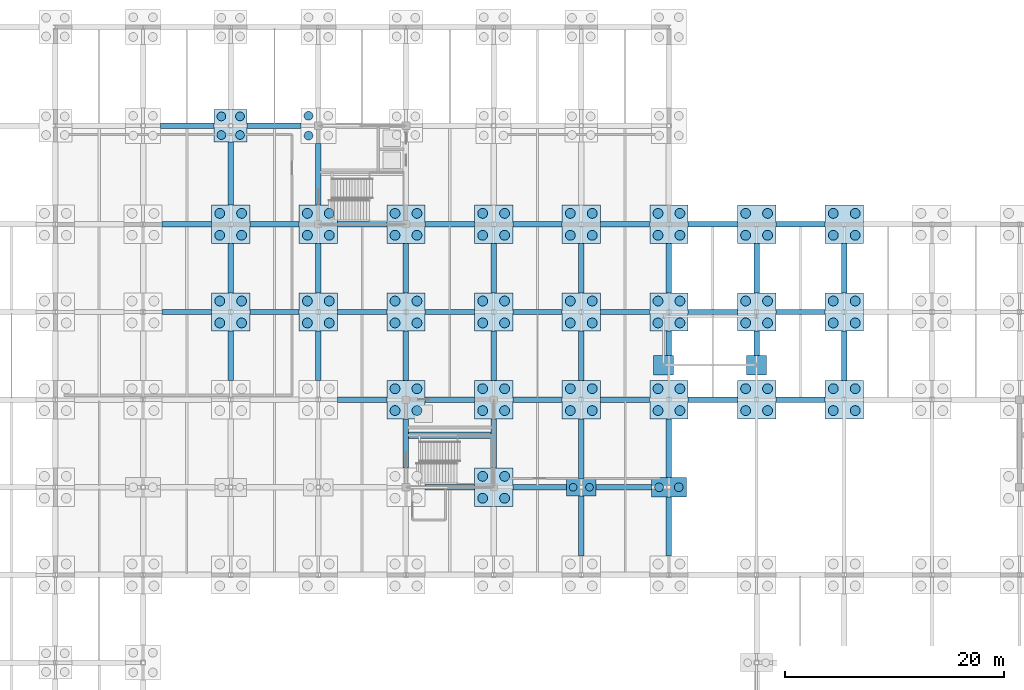
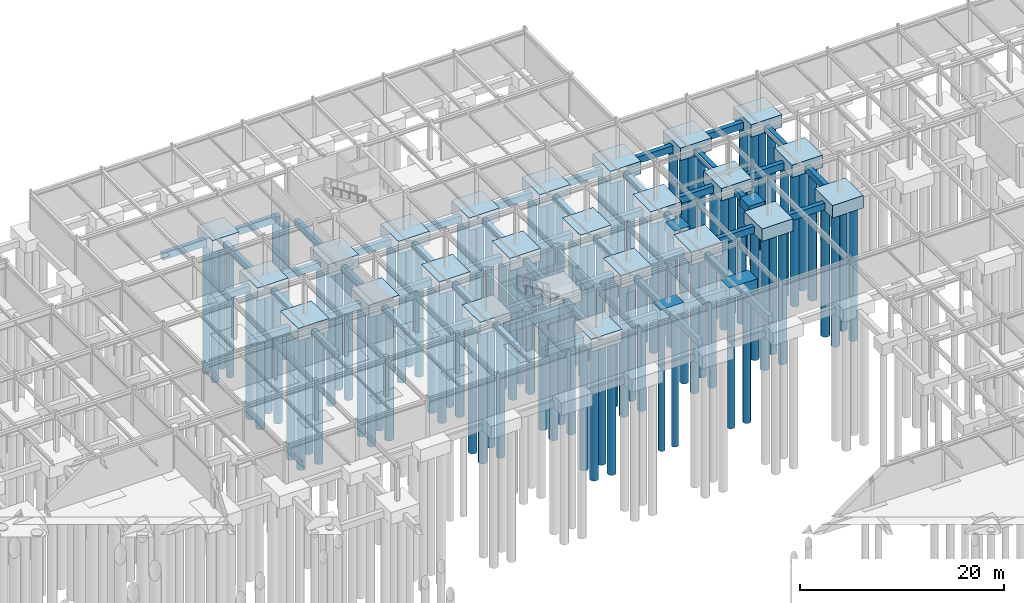
# One storey, part 8 of 72: 102 piles, 80 footings.
"""IFC4 building model written with IfcOpenShell, lengths in metres."""

from ifc_helpers import new_model, si_unit, direction, frame, origin, origin_2d, place, context, subcontext, project, spatial, rectangle, circle, extrude, material, material_profile, profile_set, type_object, element, save


model = new_model("IFC4")

# Units and contexts
model_context = context("Model", 3, precision=1e-05, world=origin(), true_north=direction((0.0, 1.0)))
body_context = subcontext(model_context, "Body", "Model", "MODEL_VIEW")
ifc_project = project(units=[si_unit("LENGTHUNIT", "METRE"), si_unit("AREAUNIT", "SQUARE_METRE"), si_unit("VOLUMEUNIT", "CUBIC_METRE"), si_unit("PLANEANGLEUNIT", "RADIAN"), si_unit("MASSUNIT", "GRAM", prefix="KILO")], contexts=[model_context])

# Site, building, storey
site_placement = place(None, origin())
site = spatial("IfcSite", under=ifc_project, at=site_placement, CompositionType="ELEMENT")
building_placement = place(site_placement, origin())
building = spatial("IfcBuilding", under=site, at=building_placement, Name="Zhaolan Boulevard Law Courts", CompositionType="ELEMENT")
storey_placement = place(building_placement, frame((0.0, 0.0, -4.800048828125)))
storey = spatial("IfcBuildingStorey", under=building, at=storey_placement, Name="B1", CompositionType="ELEMENT", Elevation=-4.800048828125)

# Piles
ifc_material_1 = material(Name="Concrete C40", Category="concrete")
ifc_material_profile_1 = material_profile(ifc_material_1, circle(Radius=0.35009765625, at=origin_2d()), Name="PILE-D700")
ifc_profile_set_1 = profile_set([ifc_material_profile_1], Name="Concrete C40")
pile_type_1 = type_object("IfcPileType", Name="BORED PILE D700", PredefinedType="BORED", material=ifc_profile_set_1)
for number, where, z_axis, x_axis, name in (
    (1, (99.25, 70.0, -1.199951171875), (0.0, 0.0, -1.0), (1.0, 0.0, 0.0), "Bored Pile P-13K-1"),
    (2, (100.75, 70.0, -1.199951171875), (0.0, 0.0, -1.0), (1.0, 0.0, 0.0), "Bored Pile P-13K-2"),
):
    element("IfcPile", number, at=place(storey_placement, frame(where, z_axis=z_axis, x_axis=x_axis)), inside=storey, type_object=pile_type_1, Name=name, PredefinedType="BORED", context=body_context, shape_type="SweptSolid", body=[
        extrude(circle(Radius=0.35009765625, at=origin_2d()), origin(), (0.0, 0.0, 1.0), 16.199951171875),
    ])
ifc_material_2 = material(Name="Concrete C40", Category="concrete")
ifc_material_profile_2 = material_profile(ifc_material_2, circle(Radius=0.39990234375, at=origin_2d()), Name="PILE-D800")
ifc_profile_set_2 = profile_set([ifc_material_profile_2], Name="Concrete C40")
pile_type_2 = type_object("IfcPileType", Name="BORED PILE D800", PredefinedType="BORED", material=ifc_profile_set_2)
for number, where, z_axis, x_axis, name in (
    (3, (67.14990234375, 102.14990234375, -1.300048828125), (0.0, 0.0, -1.0), (1.0, 0.0, 0.0), "Bored Pile P-9P-1"),
    (4, (68.85009765625, 102.14990234375, -1.300048828125), (0.0, 0.0, -1.0), (1.0, 0.0, 0.0), "Bored Pile P-9P-2"),
    (5, (67.14990234375, 103.85009765625, -1.300048828125), (0.0, 0.0, -1.0), (1.0, 0.0, 0.0), "Bored Pile P-9P-3"),
    (6, (68.85009765625, 103.85009765625, -1.300048828125), (0.0, 0.0, -1.0), (1.0, 0.0, 0.0), "Bored Pile P-9P-4"),
):
    element("IfcPile", number, at=place(storey_placement, frame(where, z_axis=z_axis, x_axis=x_axis)), inside=storey, type_object=pile_type_2, Name=name, PredefinedType="BORED", context=body_context, shape_type="SweptSolid", body=[
        extrude(circle(Radius=0.39990234375, at=origin_2d()), origin(), (0.0, 0.0, 1.0), 16.10009765625),
    ])
for number, where, z_axis, x_axis, name in (
    (7, (75.10009765625, 102.10009765625, -1.349853515625), (0.0, 0.0, -1.0), (1.0, 0.0, 0.0), "Bored Pile P-10P-1"),
    (8, (75.10009765625, 103.89990234375, -1.349853515625), (0.0, 0.0, -1.0), (1.0, 0.0, 0.0), "Bored Pile P-10P-3"),
):
    element("IfcPile", number, at=place(storey_placement, frame(where, z_axis=z_axis, x_axis=x_axis)), inside=storey, type_object=pile_type_2, Name=name, PredefinedType="BORED", context=body_context, shape_type="SweptSolid", body=[
        extrude(circle(Radius=0.39990234375, at=origin_2d()), origin(), (0.0, 0.0, 1.0), 16.050048828125),
    ])
for number, where, z_axis, x_axis, name in (
    (9, (107.10009765625, 70.0, -1.300048828125), (0.0, 0.0, -1.0), (1.0, 0.0, 0.0), "Bored Pile P-14K-1"),
    (10, (108.89990234375, 70.0, -1.300048828125), (0.0, 0.0, -1.0), (1.0, 0.0, 0.0), "Bored Pile P-14K-2"),
):
    element("IfcPile", number, at=place(storey_placement, frame(where, z_axis=z_axis, x_axis=x_axis)), inside=storey, type_object=pile_type_2, Name=name, PredefinedType="BORED", context=body_context, shape_type="SweptSolid", body=[
        extrude(circle(Radius=0.39990234375, at=origin_2d()), origin(), (0.0, 0.0, 1.0), 16.10009765625),
    ])
ifc_material_3 = material(Name="Concrete C40", Category="concrete")
ifc_material_profile_3 = material_profile(ifc_material_3, circle(Radius=0.449951171875, at=origin_2d()), Name="PILE-D900")
ifc_profile_set_3 = profile_set([ifc_material_profile_3], Name="Concrete C40")
pile_type_3 = type_object("IfcPileType", Name="BORED PILE D900", PredefinedType="BORED", material=ifc_profile_set_3)
for number, where, z_axis, x_axis, name in (
    (11, (67.0, 85.0, -1.39990234375), (0.0, 0.0, -1.0), (1.0, 0.0, 0.0), "Bored Pile P-9M-1"),
    (12, (69.0, 85.0, -1.39990234375), (0.0, 0.0, -1.0), (1.0, 0.0, 0.0), "Bored Pile P-9M-2"),
    (13, (67.0, 87.0, -1.39990234375), (0.0, 0.0, -1.0), (1.0, 0.0, 0.0), "Bored Pile P-9M-3"),
    (14, (69.0, 87.0, -1.39990234375), (0.0, 0.0, -1.0), (1.0, 0.0, 0.0), "Bored Pile P-9M-4"),
    (15, (67.0, 93.0, -1.39990234375), (0.0, 0.0, -1.0), (1.0, 0.0, 0.0), "Bored Pile P-9N-1"),
    (16, (69.0, 93.0, -1.39990234375), (0.0, 0.0, -1.0), (1.0, 0.0, 0.0), "Bored Pile P-9N-2"),
    (17, (67.0, 95.0, -1.39990234375), (0.0, 0.0, -1.0), (1.0, 0.0, 0.0), "Bored Pile P-9N-3"),
    (18, (69.0, 95.0, -1.39990234375), (0.0, 0.0, -1.0), (1.0, 0.0, 0.0), "Bored Pile P-9N-4"),
    (19, (75.0, 85.0, -1.39990234375), (0.0, 0.0, -1.0), (1.0, 0.0, 0.0), "Bored Pile P-10M-1"),
    (20, (77.0, 85.0, -1.39990234375), (0.0, 0.0, -1.0), (1.0, 0.0, 0.0), "Bored Pile P-10M-2"),
    (21, (75.0, 87.0, -1.39990234375), (0.0, 0.0, -1.0), (1.0, 0.0, 0.0), "Bored Pile P-10M-3"),
    (22, (77.0, 87.0, -1.39990234375), (0.0, 0.0, -1.0), (1.0, 0.0, 0.0), "Bored Pile P-10M-4"),
    (23, (75.0, 93.0, -1.39990234375), (0.0, 0.0, -1.0), (1.0, 0.0, 0.0), "Bored Pile P-10N-1"),
    (24, (77.0, 93.0, -1.39990234375), (0.0, 0.0, -1.0), (1.0, 0.0, 0.0), "Bored Pile P-10N-2"),
    (25, (75.0, 95.0, -1.39990234375), (0.0, 0.0, -1.0), (1.0, 0.0, 0.0), "Bored Pile P-10N-3"),
    (26, (77.0, 95.0, -1.39990234375), (0.0, 0.0, -1.0), (1.0, 0.0, 0.0), "Bored Pile P-10N-4"),
    (27, (83.0, 77.0, -1.39990234375), (0.0, 0.0, -1.0), (1.0, 0.0, 0.0), "Bored Pile P-11L-1"),
    (28, (85.0, 77.0, -1.39990234375), (0.0, 0.0, -1.0), (1.0, 0.0, 0.0), "Bored Pile P-11L-2"),
    (29, (83.0, 79.0, -1.39990234375), (0.0, 0.0, -1.0), (1.0, 0.0, 0.0), "Bored Pile P-11L-3"),
    (30, (85.0, 79.0, -1.39990234375), (0.0, 0.0, -1.0), (1.0, 0.0, 0.0), "Bored Pile P-11L-4"),
    (31, (83.0, 85.0, -1.39990234375), (0.0, 0.0, -1.0), (1.0, 0.0, 0.0), "Bored Pile P-11M-1"),
    (32, (85.0, 85.0, -1.39990234375), (0.0, 0.0, -1.0), (1.0, 0.0, 0.0), "Bored Pile P-11M-2"),
    (33, (83.0, 87.0, -1.39990234375), (0.0, 0.0, -1.0), (1.0, 0.0, 0.0), "Bored Pile P-11M-3"),
    (34, (85.0, 87.0, -1.39990234375), (0.0, 0.0, -1.0), (1.0, 0.0, 0.0), "Bored Pile P-11M-4"),
    (35, (83.0, 93.0, -1.39990234375), (0.0, 0.0, -1.0), (1.0, 0.0, 0.0), "Bored Pile P-11N-1"),
    (36, (85.0, 93.0, -1.39990234375), (0.0, 0.0, -1.0), (1.0, 0.0, 0.0), "Bored Pile P-11N-2"),
    (37, (83.0, 95.0, -1.39990234375), (0.0, 0.0, -1.0), (1.0, 0.0, 0.0), "Bored Pile P-11N-3"),
    (38, (85.0, 95.0, -1.39990234375), (0.0, 0.0, -1.0), (1.0, 0.0, 0.0), "Bored Pile P-11N-4"),
    (39, (91.0, 69.0, -1.39990234375), (0.0, 0.0, -1.0), (1.0, 0.0, 0.0), "Bored Pile P-12K-1"),
    (40, (93.0, 69.0, -1.39990234375), (0.0, 0.0, -1.0), (1.0, 0.0, 0.0), "Bored Pile P-12K-2"),
    (41, (91.0, 71.0, -1.39990234375), (0.0, 0.0, -1.0), (1.0, 0.0, 0.0), "Bored Pile P-12K-3"),
    (42, (93.0, 71.0, -1.39990234375), (0.0, 0.0, -1.0), (1.0, 0.0, 0.0), "Bored Pile P-12K-4"),
    (43, (91.0, 77.0, -1.39990234375), (0.0, 0.0, -1.0), (1.0, 0.0, 0.0), "Bored Pile P-12L-1"),
    (44, (93.0, 77.0, -1.39990234375), (0.0, 0.0, -1.0), (1.0, 0.0, 0.0), "Bored Pile P-12L-2"),
    (45, (91.0, 79.0, -1.39990234375), (0.0, 0.0, -1.0), (1.0, 0.0, 0.0), "Bored Pile P-12L-3"),
    (46, (93.0, 79.0, -1.39990234375), (0.0, 0.0, -1.0), (1.0, 0.0, 0.0), "Bored Pile P-12L-4"),
    (47, (91.0, 85.0, -1.39990234375), (0.0, 0.0, -1.0), (1.0, 0.0, 0.0), "Bored Pile P-12M-1"),
    (48, (93.0, 85.0, -1.39990234375), (0.0, 0.0, -1.0), (1.0, 0.0, 0.0), "Bored Pile P-12M-2"),
    (49, (91.0, 87.0, -1.39990234375), (0.0, 0.0, -1.0), (1.0, 0.0, 0.0), "Bored Pile P-12M-3"),
    (50, (93.0, 87.0, -1.39990234375), (0.0, 0.0, -1.0), (1.0, 0.0, 0.0), "Bored Pile P-12M-4"),
    (51, (91.0, 93.0, -1.39990234375), (0.0, 0.0, -1.0), (1.0, 0.0, 0.0), "Bored Pile P-12N-1"),
    (52, (93.0, 93.0, -1.39990234375), (0.0, 0.0, -1.0), (1.0, 0.0, 0.0), "Bored Pile P-12N-2"),
    (53, (91.0, 95.0, -1.39990234375), (0.0, 0.0, -1.0), (1.0, 0.0, 0.0), "Bored Pile P-12N-3"),
    (54, (93.0, 95.0, -1.39990234375), (0.0, 0.0, -1.0), (1.0, 0.0, 0.0), "Bored Pile P-12N-4"),
    (55, (99.0, 77.0, -1.39990234375), (0.0, 0.0, -1.0), (1.0, 0.0, 0.0), "Bored Pile P-13L-1"),
    (56, (101.0, 77.0, -1.39990234375), (0.0, 0.0, -1.0), (1.0, 0.0, 0.0), "Bored Pile P-13L-2"),
    (57, (99.0, 79.0, -1.39990234375), (0.0, 0.0, -1.0), (1.0, 0.0, 0.0), "Bored Pile P-13L-3"),
    (58, (101.0, 79.0, -1.39990234375), (0.0, 0.0, -1.0), (1.0, 0.0, 0.0), "Bored Pile P-13L-4"),
    (59, (99.0, 85.0, -1.39990234375), (0.0, 0.0, -1.0), (1.0, 0.0, 0.0), "Bored Pile P-13M-1"),
    (60, (101.0, 85.0, -1.39990234375), (0.0, 0.0, -1.0), (1.0, 0.0, 0.0), "Bored Pile P-13M-2"),
    (61, (99.0, 87.0, -1.39990234375), (0.0, 0.0, -1.0), (1.0, 0.0, 0.0), "Bored Pile P-13M-3"),
    (62, (101.0, 87.0, -1.39990234375), (0.0, 0.0, -1.0), (1.0, 0.0, 0.0), "Bored Pile P-13M-4"),
    (63, (99.0, 93.0, -1.39990234375), (0.0, 0.0, -1.0), (1.0, 0.0, 0.0), "Bored Pile P-13N-1"),
    (64, (101.0, 93.0, -1.39990234375), (0.0, 0.0, -1.0), (1.0, 0.0, 0.0), "Bored Pile P-13N-2"),
    (65, (99.0, 95.0, -1.39990234375), (0.0, 0.0, -1.0), (1.0, 0.0, 0.0), "Bored Pile P-13N-3"),
    (66, (101.0, 95.0, -1.39990234375), (0.0, 0.0, -1.0), (1.0, 0.0, 0.0), "Bored Pile P-13N-4"),
    (67, (107.0, 77.0, -1.39990234375), (0.0, 0.0, -1.0), (1.0, 0.0, 0.0), "Bored Pile P-14L-1"),
    (68, (109.0, 77.0, -1.39990234375), (0.0, 0.0, -1.0), (1.0, 0.0, 0.0), "Bored Pile P-14L-2"),
    (69, (107.0, 79.0, -1.39990234375), (0.0, 0.0, -1.0), (1.0, 0.0, 0.0), "Bored Pile P-14L-3"),
    (70, (109.0, 79.0, -1.39990234375), (0.0, 0.0, -1.0), (1.0, 0.0, 0.0), "Bored Pile P-14L-4"),
    (71, (107.0, 85.0, -1.39990234375), (0.0, 0.0, -1.0), (1.0, 0.0, 0.0), "Bored Pile P-14M-1"),
    (72, (109.0, 85.0, -1.39990234375), (0.0, 0.0, -1.0), (1.0, 0.0, 0.0), "Bored Pile P-14M-2"),
    (73, (107.0, 87.0, -1.39990234375), (0.0, 0.0, -1.0), (1.0, 0.0, 0.0), "Bored Pile P-14M-3"),
    (74, (109.0, 87.0, -1.39990234375), (0.0, 0.0, -1.0), (1.0, 0.0, 0.0), "Bored Pile P-14M-4"),
    (75, (107.0, 93.0, -1.39990234375), (0.0, 0.0, -1.0), (1.0, 0.0, 0.0), "Bored Pile P-14N-1"),
    (76, (109.0, 93.0, -1.39990234375), (0.0, 0.0, -1.0), (1.0, 0.0, 0.0), "Bored Pile P-14N-2"),
    (77, (107.0, 95.0, -1.39990234375), (0.0, 0.0, -1.0), (1.0, 0.0, 0.0), "Bored Pile P-14N-3"),
    (78, (109.0, 95.0, -1.39990234375), (0.0, 0.0, -1.0), (1.0, 0.0, 0.0), "Bored Pile P-14N-4"),
    (79, (115.0, 77.0, -1.39990234375), (0.0, 0.0, -1.0), (1.0, 0.0, 0.0), "Bored Pile P-15L-1"),
    (80, (117.0, 77.0, -1.39990234375), (0.0, 0.0, -1.0), (1.0, 0.0, 0.0), "Bored Pile P-15L-2"),
    (81, (115.0, 79.0, -1.39990234375), (0.0, 0.0, -1.0), (1.0, 0.0, 0.0), "Bored Pile P-15L-3"),
    (82, (117.0, 79.0, -1.39990234375), (0.0, 0.0, -1.0), (1.0, 0.0, 0.0), "Bored Pile P-15L-4"),
    (83, (115.0, 85.0, -1.39990234375), (0.0, 0.0, -1.0), (1.0, 0.0, 0.0), "Bored Pile P-15M-1"),
    (84, (117.0, 85.0, -1.39990234375), (0.0, 0.0, -1.0), (1.0, 0.0, 0.0), "Bored Pile P-15M-2"),
    (85, (115.0, 87.0, -1.39990234375), (0.0, 0.0, -1.0), (1.0, 0.0, 0.0), "Bored Pile P-15M-3"),
    (86, (117.0, 87.0, -1.39990234375), (0.0, 0.0, -1.0), (1.0, 0.0, 0.0), "Bored Pile P-15M-4"),
    (87, (115.0, 93.0, -1.39990234375), (0.0, 0.0, -1.0), (1.0, 0.0, 0.0), "Bored Pile P-15N-1"),
    (88, (117.0, 93.0, -1.39990234375), (0.0, 0.0, -1.0), (1.0, 0.0, 0.0), "Bored Pile P-15N-2"),
    (89, (115.0, 95.0, -1.39990234375), (0.0, 0.0, -1.0), (1.0, 0.0, 0.0), "Bored Pile P-15N-3"),
    (90, (117.0, 95.0, -1.39990234375), (0.0, 0.0, -1.0), (1.0, 0.0, 0.0), "Bored Pile P-15N-4"),
    (91, (123.0, 77.0, -1.39990234375), (0.0, 0.0, -1.0), (1.0, 0.0, 0.0), "Bored Pile P-16L-1"),
    (92, (125.0, 77.0, -1.39990234375), (0.0, 0.0, -1.0), (1.0, 0.0, 0.0), "Bored Pile P-16L-2"),
    (93, (123.0, 79.0, -1.39990234375), (0.0, 0.0, -1.0), (1.0, 0.0, 0.0), "Bored Pile P-16L-3"),
    (94, (125.0, 79.0, -1.39990234375), (0.0, 0.0, -1.0), (1.0, 0.0, 0.0), "Bored Pile P-16L-4"),
    (95, (123.0, 85.0, -1.39990234375), (0.0, 0.0, -1.0), (1.0, 0.0, 0.0), "Bored Pile P-16M-1"),
    (96, (125.0, 85.0, -1.39990234375), (0.0, 0.0, -1.0), (1.0, 0.0, 0.0), "Bored Pile P-16M-2"),
    (97, (123.0, 87.0, -1.39990234375), (0.0, 0.0, -1.0), (1.0, 0.0, 0.0), "Bored Pile P-16M-3"),
    (98, (125.0, 87.0, -1.39990234375), (0.0, 0.0, -1.0), (1.0, 0.0, 0.0), "Bored Pile P-16M-4"),
    (99, (123.0, 93.0, -1.39990234375), (0.0, 0.0, -1.0), (1.0, 0.0, 0.0), "Bored Pile P-16N-1"),
    (100, (125.0, 93.0, -1.39990234375), (0.0, 0.0, -1.0), (1.0, 0.0, 0.0), "Bored Pile P-16N-2"),
    (101, (123.0, 95.0, -1.39990234375), (0.0, 0.0, -1.0), (1.0, 0.0, 0.0), "Bored Pile P-16N-3"),
    (102, (125.0, 95.0, -1.39990234375), (0.0, 0.0, -1.0), (1.0, 0.0, 0.0), "Bored Pile P-16N-4"),
):
    element("IfcPile", number, at=place(storey_placement, frame(where, z_axis=z_axis, x_axis=x_axis)), inside=storey, type_object=pile_type_3, Name=name, PredefinedType="BORED", context=body_context, shape_type="SweptSolid", body=[
        extrude(circle(Radius=0.449951171875, at=origin_2d()), origin(), (0.0, 0.0, 1.0), 16.0),
    ])

# Footings
ifc_material_4 = material(Name="Concrete C40", Category="concrete")
footing_type_1 = type_object("IfcFootingType", Name="PAD FOOTING 1800X1800X1000", PredefinedType="PAD_FOOTING", material=ifc_material_4)
for number, where, z_axis, x_axis, name in (
    (103, (107.5, 81.14990234375, -1.0), (0.0, 0.0, 1.0), (1.0, 0.0, 0.0), "Stairwell Corner Pad Footing PF-ST13-1"),
    (104, (116.0, 81.14990234375, -1.0), (0.0, 0.0, 1.0), (1.0, 0.0, 0.0), "Stairwell Corner Pad Footing PF-ST13-2"),
):
    element("IfcFooting", number, at=place(storey_placement, frame(where, z_axis=z_axis, x_axis=x_axis)), inside=storey, type_object=footing_type_1, Name=name, PredefinedType="PAD_FOOTING", context=body_context, shape_type="SweptSolid", body=[
        extrude(rectangle(XDim=1.800048828125, YDim=1.800048828125, at=origin_2d()), origin(), (0.0, 0.0, 1.0), 1.0),
    ])
ifc_material_5 = material(Name="Concrete C40", Category="concrete")
footing_type_2 = type_object("IfcFootingType", Name="PILE CAP 2700X1550X1300", PredefinedType="PILE_CAP", material=ifc_material_5)
footing_1_placement = place(storey_placement, frame((100.0, 70.0, -1.2998046875), z_axis=(0.0, 0.0, 1.0), x_axis=(1.0, 0.0, 0.0)))
element("IfcFooting", 105, at=footing_1_placement, inside=storey, type_object=footing_type_2, Name="Pile Cap PC-13K", PredefinedType="PILE_CAP", context=body_context, shape_type="SweptSolid", body=[
    extrude(rectangle(XDim=2.699951171875, YDim=1.550048828125, at=origin_2d()), origin(), (0.0, 0.0, 1.0), 1.300048828125),
])
ifc_material_6 = material(Name="Concrete C40", Category="concrete")
footing_type_3 = type_object("IfcFootingType", Name="PILE CAP 3000X3000X1400", PredefinedType="PILE_CAP", material=ifc_material_6)
footing_2_placement = place(storey_placement, frame((68.0, 103.0, -1.39990234375), z_axis=(0.0, 0.0, 1.0), x_axis=(1.0, 0.0, 0.0)))
element("IfcFooting", 106, at=footing_2_placement, inside=storey, type_object=footing_type_3, Name="Pile Cap PC-9P", PredefinedType="PILE_CAP", context=body_context, shape_type="SweptSolid", body=[
    extrude(rectangle(XDim=3.0, YDim=3.0, at=origin_2d()), origin(), (0.0, 0.0, 1.0), 1.39990234375),
])
ifc_material_7 = material(Name="Concrete C40", Category="concrete")
footing_type_4 = type_object("IfcFootingType", Name="PILE CAP 3200X1800X1400", PredefinedType="PILE_CAP", material=ifc_material_7)
footing_3_placement = place(storey_placement, frame((108.0, 70.0, -1.39990234375), z_axis=(0.0, 0.0, 1.0), x_axis=(1.0, 0.0, 0.0)))
element("IfcFooting", 107, at=footing_3_placement, inside=storey, type_object=footing_type_4, Name="Pile Cap PC-14K", PredefinedType="PILE_CAP", context=body_context, shape_type="SweptSolid", body=[
    extrude(rectangle(XDim=3.199951171875, YDim=1.800048828125, at=origin_2d()), origin(), (0.0, 0.0, 1.0), 1.39990234375),
])
ifc_material_8 = material(Name="Concrete C40", Category="concrete")
footing_type_5 = type_object("IfcFootingType", Name="PILE CAP 3500X3500X1500", PredefinedType="PILE_CAP", material=ifc_material_8)
for number, where, z_axis, x_axis, name in (
    (108, (68.0, 86.0, -1.5), (0.0, 0.0, 1.0), (1.0, 0.0, 0.0), "Pile Cap PC-9M"),
    (109, (68.0, 94.0, -1.5), (0.0, 0.0, 1.0), (1.0, 0.0, 0.0), "Pile Cap PC-9N"),
    (110, (76.0, 86.0, -1.5), (0.0, 0.0, 1.0), (1.0, 0.0, 0.0), "Pile Cap PC-10M"),
    (111, (76.0, 94.0, -1.5), (0.0, 0.0, 1.0), (1.0, 0.0, 0.0), "Pile Cap PC-10N"),
    (112, (84.0, 78.0, -1.5), (0.0, 0.0, 1.0), (1.0, 0.0, 0.0), "Pile Cap PC-11L"),
    (113, (84.0, 86.0, -1.5), (0.0, 0.0, 1.0), (1.0, 0.0, 0.0), "Pile Cap PC-11M"),
    (114, (84.0, 94.0, -1.5), (0.0, 0.0, 1.0), (1.0, 0.0, 0.0), "Pile Cap PC-11N"),
    (115, (92.0, 70.0, -1.5), (0.0, 0.0, 1.0), (1.0, 0.0, 0.0), "Pile Cap PC-12K"),
    (116, (92.0, 78.0, -1.5), (0.0, 0.0, 1.0), (1.0, 0.0, 0.0), "Pile Cap PC-12L"),
    (117, (92.0, 86.0, -1.5), (0.0, 0.0, 1.0), (1.0, 0.0, 0.0), "Pile Cap PC-12M"),
    (118, (92.0, 94.0, -1.5), (0.0, 0.0, 1.0), (1.0, 0.0, 0.0), "Pile Cap PC-12N"),
    (119, (100.0, 78.0, -1.5), (0.0, 0.0, 1.0), (1.0, 0.0, 0.0), "Pile Cap PC-13L"),
    (120, (100.0, 86.0, -1.5), (0.0, 0.0, 1.0), (1.0, 0.0, 0.0), "Pile Cap PC-13M"),
    (121, (100.0, 94.0, -1.5), (0.0, 0.0, 1.0), (1.0, 0.0, 0.0), "Pile Cap PC-13N"),
    (122, (108.0, 78.0, -1.5), (0.0, 0.0, 1.0), (1.0, 0.0, 0.0), "Pile Cap PC-14L"),
    (123, (108.0, 86.0, -1.5), (0.0, 0.0, 1.0), (1.0, 0.0, 0.0), "Pile Cap PC-14M"),
    (124, (108.0, 94.0, -1.5), (0.0, 0.0, 1.0), (1.0, 0.0, 0.0), "Pile Cap PC-14N"),
    (125, (116.0, 78.0, -1.5), (0.0, 0.0, 1.0), (1.0, 0.0, 0.0), "Pile Cap PC-15L"),
    (126, (116.0, 86.0, -1.5), (0.0, 0.0, 1.0), (1.0, 0.0, 0.0), "Pile Cap PC-15M"),
    (127, (116.0, 94.0, -1.5), (0.0, 0.0, 1.0), (1.0, 0.0, 0.0), "Pile Cap PC-15N"),
    (128, (124.0, 78.0, -1.5), (0.0, 0.0, 1.0), (1.0, 0.0, 0.0), "Pile Cap PC-16L"),
    (129, (124.0, 86.0, -1.5), (0.0, 0.0, 1.0), (1.0, 0.0, 0.0), "Pile Cap PC-16M"),
    (130, (124.0, 94.0, -1.5), (0.0, 0.0, 1.0), (1.0, 0.0, 0.0), "Pile Cap PC-16N"),
):
    element("IfcFooting", number, at=place(storey_placement, frame(where, z_axis=z_axis, x_axis=x_axis)), inside=storey, type_object=footing_type_5, Name=name, PredefinedType="PILE_CAP", context=body_context, shape_type="SweptSolid", body=[
        extrude(rectangle(XDim=3.5, YDim=3.5, at=origin_2d()), origin(), (0.0, 0.0, 1.0), 1.5),
    ])
ifc_material_9 = material(Name="Concrete C40", Category="concrete")
ifc_material_profile_4 = material_profile(ifc_material_9, rectangle(XDim=0.60009765625, YDim=0.89990234375, at=origin_2d()), Name="RC600x900")
ifc_profile_set_4 = profile_set([ifc_material_profile_4], Name="Concrete C40")
footing_type_6 = type_object("IfcFootingType", Name="STRIP FOOTING 600X900", PredefinedType="STRIP_FOOTING", material=ifc_profile_set_4)
footing_4_placement = place(storey_placement, frame((84.251953125, 74.75, -0.449951171875), z_axis=(1.0, 0.0, 0.0), x_axis=(0.0, 1.0, 0.0)))
element("IfcFooting", 131, at=footing_4_placement, inside=storey, type_object=footing_type_6, Name="Stair Divider Strip Footing SF-ST08-DN", PredefinedType="STRIP_FOOTING", context=body_context, shape_type="SweptSolid", body=[
    extrude(rectangle(XDim=0.60009765625, YDim=0.89990234375, at=origin_2d()), origin(), (0.0, 0.0, 1.0), 7.49609375),
])
ifc_material_10 = material(Name="Concrete C40", Category="concrete")
ifc_material_profile_5 = material_profile(ifc_material_10, rectangle(XDim=0.5, YDim=0.800048828125, at=origin_2d()), Name="RC500x800")
ifc_profile_set_5 = profile_set([ifc_material_profile_5], Name="Concrete C40")
footing_type_7 = type_object("IfcFootingType", Name="TIE BEAM 500X800", PredefinedType="FOOTING_BEAM", material=ifc_profile_set_5)
for number, where, z_axis, x_axis, name in (
    (132, (61.751953125, 86.0, -1.0), (1.0, 0.0, 0.0), (0.0, 1.0, 0.0), "Foundation Tie Beam TBX-8-9-M"),
    (133, (61.751953125, 94.0, -1.0), (1.0, 0.0, 0.0), (0.0, 1.0, 0.0), "Foundation Tie Beam TBX-8-9-N"),
):
    element("IfcFooting", number, at=place(storey_placement, frame(where, z_axis=z_axis, x_axis=x_axis)), inside=storey, type_object=footing_type_7, Name=name, PredefinedType="FOOTING_BEAM", context=body_context, shape_type="SweptSolid", body=[
        extrude(rectangle(XDim=0.5, YDim=0.800048828125, at=origin_2d()), origin(), (0.0, 0.0, 1.0), 4.49609375),
    ])
footing_5_placement = place(storey_placement, frame((61.60205078125, 103.0, -1.0), z_axis=(1.0, 0.0, 0.0), x_axis=(0.0, 1.0, 0.0)))
element("IfcFooting", 134, at=footing_5_placement, inside=storey, type_object=footing_type_7, Name="Foundation Tie Beam TBX-8-9-P", PredefinedType="FOOTING_BEAM", context=body_context, shape_type="SweptSolid", body=[
    extrude(rectangle(XDim=0.5, YDim=0.800048828125, at=origin_2d()), origin(), (0.0, 0.0, 1.0), 4.89599609375),
])
for number, where, z_axis, x_axis, name in (
    (135, (69.751953125, 86.0, -1.0), (1.0, 0.0, 0.0), (0.0, 1.0, 0.0), "Foundation Tie Beam TBX-9-10-M"),
    (136, (69.751953125, 94.0, -1.0), (1.0, 0.0, 0.0), (0.0, 1.0, 0.0), "Foundation Tie Beam TBX-9-10-N"),
):
    element("IfcFooting", number, at=place(storey_placement, frame(where, z_axis=z_axis, x_axis=x_axis)), inside=storey, type_object=footing_type_7, Name=name, PredefinedType="FOOTING_BEAM", context=body_context, shape_type="SweptSolid", body=[
        extrude(rectangle(XDim=0.5, YDim=0.800048828125, at=origin_2d()), origin(), (0.0, 0.0, 1.0), 4.49609375),
    ])
footing_6_placement = place(storey_placement, frame((69.501953125, 103.0, -1.0), z_axis=(1.0, 0.0, 0.0), x_axis=(0.0, 1.0, 0.0)))
element("IfcFooting", 137, at=footing_6_placement, inside=storey, type_object=footing_type_7, Name="Foundation Tie Beam TBX-9-10-P", PredefinedType="FOOTING_BEAM", context=body_context, shape_type="SweptSolid", body=[
    extrude(rectangle(XDim=0.5, YDim=0.800048828125, at=origin_2d()), origin(), (0.0, 0.0, 1.0), 4.89599609375),
])
for number, where, z_axis, x_axis, name in (
    (138, (77.751953125, 78.0, -1.0), (1.0, 0.0, 0.0), (0.0, 1.0, 0.0), "Foundation Tie Beam TBX-10-11-L"),
    (139, (77.751953125, 86.0, -1.0), (1.0, 0.0, 0.0), (0.0, 1.0, 0.0), "Foundation Tie Beam TBX-10-11-M"),
    (140, (77.751953125, 94.0, -1.0), (1.0, 0.0, 0.0), (0.0, 1.0, 0.0), "Foundation Tie Beam TBX-10-11-N"),
    (141, (85.751953125, 70.0, -1.0), (1.0, 0.0, 0.0), (0.0, 1.0, 0.0), "Foundation Tie Beam TBX-11-12-K"),
    (142, (85.751953125, 78.0, -1.0), (1.0, 0.0, 0.0), (0.0, 1.0, 0.0), "Foundation Tie Beam TBX-11-12-L"),
    (143, (85.751953125, 86.0, -1.0), (1.0, 0.0, 0.0), (0.0, 1.0, 0.0), "Foundation Tie Beam TBX-11-12-M"),
    (144, (85.751953125, 94.0, -1.0), (1.0, 0.0, 0.0), (0.0, 1.0, 0.0), "Foundation Tie Beam TBX-11-12-N"),
):
    element("IfcFooting", number, at=place(storey_placement, frame(where, z_axis=z_axis, x_axis=x_axis)), inside=storey, type_object=footing_type_7, Name=name, PredefinedType="FOOTING_BEAM", context=body_context, shape_type="SweptSolid", body=[
        extrude(rectangle(XDim=0.5, YDim=0.800048828125, at=origin_2d()), origin(), (0.0, 0.0, 1.0), 4.49609375),
    ])
footing_7_placement = place(storey_placement, frame((93.751953125, 70.0, -1.0), z_axis=(1.0, 0.0, 0.0), x_axis=(0.0, 1.0, 0.0)))
element("IfcFooting", 145, at=footing_7_placement, inside=storey, type_object=footing_type_7, Name="Foundation Tie Beam TBX-12-13-K", PredefinedType="FOOTING_BEAM", context=body_context, shape_type="SweptSolid", body=[
    extrude(rectangle(XDim=0.5, YDim=0.800048828125, at=origin_2d()), origin(), (0.0, 0.0, 1.0), 4.89599609375),
])
for number, where, z_axis, x_axis, name in (
    (146, (93.751953125, 78.0, -1.0), (1.0, 0.0, 0.0), (0.0, 1.0, 0.0), "Foundation Tie Beam TBX-12-13-L"),
    (147, (93.751953125, 86.0, -1.0), (1.0, 0.0, 0.0), (0.0, 1.0, 0.0), "Foundation Tie Beam TBX-12-13-M"),
    (148, (93.751953125, 94.0, -1.0), (1.0, 0.0, 0.0), (0.0, 1.0, 0.0), "Foundation Tie Beam TBX-12-13-N"),
):
    element("IfcFooting", number, at=place(storey_placement, frame(where, z_axis=z_axis, x_axis=x_axis)), inside=storey, type_object=footing_type_7, Name=name, PredefinedType="FOOTING_BEAM", context=body_context, shape_type="SweptSolid", body=[
        extrude(rectangle(XDim=0.5, YDim=0.800048828125, at=origin_2d()), origin(), (0.0, 0.0, 1.0), 4.49609375),
    ])
footing_8_placement = place(storey_placement, frame((101.35205078125, 70.0, -1.0), z_axis=(1.0, 0.0, 0.0), x_axis=(0.0, 1.0, 0.0)))
element("IfcFooting", 149, at=footing_8_placement, inside=storey, type_object=footing_type_7, Name="Foundation Tie Beam TBX-13-14-K", PredefinedType="FOOTING_BEAM", context=body_context, shape_type="SweptSolid", body=[
    extrude(rectangle(XDim=0.5, YDim=0.800048828125, at=origin_2d()), origin(), (0.0, 0.0, 1.0), 5.0458984375),
])
for number, where, z_axis, x_axis, name in (
    (150, (101.751953125, 78.0, -1.0), (1.0, 0.0, 0.0), (0.0, 1.0, 0.0), "Foundation Tie Beam TBX-13-14-L"),
    (151, (101.751953125, 86.0, -1.0), (1.0, 0.0, 0.0), (0.0, 1.0, 0.0), "Foundation Tie Beam TBX-13-14-M"),
    (152, (101.751953125, 94.0, -1.0), (1.0, 0.0, 0.0), (0.0, 1.0, 0.0), "Foundation Tie Beam TBX-13-14-N"),
    (153, (109.751953125, 78.0, -1.0), (1.0, 0.0, 0.0), (0.0, 1.0, 0.0), "Foundation Tie Beam TBX-14-15-L"),
    (154, (109.751953125, 86.0, -1.0), (1.0, 0.0, 0.0), (0.0, 1.0, 0.0), "Foundation Tie Beam TBX-14-15-M"),
    (155, (109.751953125, 94.0, -1.0), (1.0, 0.0, 0.0), (0.0, 1.0, 0.0), "Foundation Tie Beam TBX-14-15-N"),
    (156, (117.751953125, 78.0, -1.0), (1.0, 0.0, 0.0), (0.0, 1.0, 0.0), "Foundation Tie Beam TBX-15-16-L"),
    (157, (117.751953125, 86.0, -1.0), (1.0, 0.0, 0.0), (0.0, 1.0, 0.0), "Foundation Tie Beam TBX-15-16-M"),
    (158, (117.751953125, 94.0, -1.0), (1.0, 0.0, 0.0), (0.0, 1.0, 0.0), "Foundation Tie Beam TBX-15-16-N"),
    (159, (68.0, 79.751953125, -1.0), (0.0, 1.0, 0.0), (-1.0, 0.0, 0.0), "Foundation Tie Beam TBY-9-L-M"),
    (160, (68.0, 87.751953125, -1.0), (0.0, 1.0, 0.0), (-1.0, 0.0, 0.0), "Foundation Tie Beam TBY-9-M-N"),
):
    element("IfcFooting", number, at=place(storey_placement, frame(where, z_axis=z_axis, x_axis=x_axis)), inside=storey, type_object=footing_type_7, Name=name, PredefinedType="FOOTING_BEAM", context=body_context, shape_type="SweptSolid", body=[
        extrude(rectangle(XDim=0.5, YDim=0.800048828125, at=origin_2d()), origin(), (0.0, 0.0, 1.0), 4.49609375),
    ])
footing_9_placement = place(storey_placement, frame((68.0, 95.751953125, -1.0), z_axis=(0.0, 1.0, 0.0), x_axis=(-1.0, 0.0, 0.0)))
element("IfcFooting", 161, at=footing_9_placement, inside=storey, type_object=footing_type_7, Name="Foundation Tie Beam TBY-9-N-P", PredefinedType="FOOTING_BEAM", context=body_context, shape_type="SweptSolid", body=[
    extrude(rectangle(XDim=0.5, YDim=0.800048828125, at=origin_2d()), origin(), (0.0, 0.0, 1.0), 5.74609375),
])
for number, where, z_axis, x_axis, name in (
    (162, (76.0, 79.751953125, -1.0), (0.0, 1.0, 0.0), (-1.0, 0.0, 0.0), "Foundation Tie Beam TBY-10-L-M"),
    (163, (76.0, 87.751953125, -1.0), (0.0, 1.0, 0.0), (-1.0, 0.0, 0.0), "Foundation Tie Beam TBY-10-M-N"),
):
    element("IfcFooting", number, at=place(storey_placement, frame(where, z_axis=z_axis, x_axis=x_axis)), inside=storey, type_object=footing_type_7, Name=name, PredefinedType="FOOTING_BEAM", context=body_context, shape_type="SweptSolid", body=[
        extrude(rectangle(XDim=0.5, YDim=0.800048828125, at=origin_2d()), origin(), (0.0, 0.0, 1.0), 4.49609375),
    ])
footing_10_placement = place(storey_placement, frame((76.0, 95.751953125, -1.0), z_axis=(0.0, 1.0, 0.0), x_axis=(-1.0, 0.0, 0.0)))
element("IfcFooting", 164, at=footing_10_placement, inside=storey, type_object=footing_type_7, Name="Foundation Tie Beam TBY-10-N-P", PredefinedType="FOOTING_BEAM", context=body_context, shape_type="SweptSolid", body=[
    extrude(rectangle(XDim=0.5, YDim=0.800048828125, at=origin_2d()), origin(), (0.0, 0.0, 1.0), 5.64599609375),
])
for number, where, z_axis, x_axis, name in (
    (165, (84.0, 71.751953125, -1.0), (0.0, 1.0, 0.0), (-1.0, 0.0, 0.0), "Foundation Tie Beam TBY-11-K-L"),
    (166, (84.0, 79.751953125, -1.0), (0.0, 1.0, 0.0), (-1.0, 0.0, 0.0), "Foundation Tie Beam TBY-11-L-M"),
    (167, (84.0, 87.751953125, -1.0), (0.0, 1.0, 0.0), (-1.0, 0.0, 0.0), "Foundation Tie Beam TBY-11-M-N"),
    (168, (92.0, 71.751953125, -1.0), (0.0, 1.0, 0.0), (-1.0, 0.0, 0.0), "Foundation Tie Beam TBY-12-K-L"),
    (169, (92.0, 79.751953125, -1.0), (0.0, 1.0, 0.0), (-1.0, 0.0, 0.0), "Foundation Tie Beam TBY-12-L-M"),
    (170, (92.0, 87.751953125, -1.0), (0.0, 1.0, 0.0), (-1.0, 0.0, 0.0), "Foundation Tie Beam TBY-12-M-N"),
):
    element("IfcFooting", number, at=place(storey_placement, frame(where, z_axis=z_axis, x_axis=x_axis)), inside=storey, type_object=footing_type_7, Name=name, PredefinedType="FOOTING_BEAM", context=body_context, shape_type="SweptSolid", body=[
        extrude(rectangle(XDim=0.5, YDim=0.800048828125, at=origin_2d()), origin(), (0.0, 0.0, 1.0), 4.49609375),
    ])
for number, where, z_axis, x_axis, name in (
    (171, (100.0, 63.751953125, -1.0), (0.0, 1.0, 0.0), (-1.0, 0.0, 0.0), "Foundation Tie Beam TBY-13-J-K"),
    (172, (100.0, 70.777099609375, -1.0), (0.0, 1.0, 0.0), (-1.0, 0.0, 0.0), "Foundation Tie Beam TBY-13-K-L"),
):
    element("IfcFooting", number, at=place(storey_placement, frame(where, z_axis=z_axis, x_axis=x_axis)), inside=storey, type_object=footing_type_7, Name=name, PredefinedType="FOOTING_BEAM", context=body_context, shape_type="SweptSolid", body=[
        extrude(rectangle(XDim=0.5, YDim=0.800048828125, at=origin_2d()), origin(), (0.0, 0.0, 1.0), 5.470947265625),
    ])
for number, where, z_axis, x_axis, name in (
    (173, (100.0, 79.751953125, -1.0), (0.0, 1.0, 0.0), (-1.0, 0.0, 0.0), "Foundation Tie Beam TBY-13-L-M"),
    (174, (100.0, 87.751953125, -1.0), (0.0, 1.0, 0.0), (-1.0, 0.0, 0.0), "Foundation Tie Beam TBY-13-M-N"),
):
    element("IfcFooting", number, at=place(storey_placement, frame(where, z_axis=z_axis, x_axis=x_axis)), inside=storey, type_object=footing_type_7, Name=name, PredefinedType="FOOTING_BEAM", context=body_context, shape_type="SweptSolid", body=[
        extrude(rectangle(XDim=0.5, YDim=0.800048828125, at=origin_2d()), origin(), (0.0, 0.0, 1.0), 4.49609375),
    ])
for number, where, z_axis, x_axis, name in (
    (175, (108.0, 63.751953125, -1.0), (0.0, 1.0, 0.0), (-1.0, 0.0, 0.0), "Foundation Tie Beam TBY-14-J-K"),
    (176, (108.0, 70.902099609375, -1.0), (0.0, 1.0, 0.0), (-1.0, 0.0, 0.0), "Foundation Tie Beam TBY-14-K-L"),
):
    element("IfcFooting", number, at=place(storey_placement, frame(where, z_axis=z_axis, x_axis=x_axis)), inside=storey, type_object=footing_type_7, Name=name, PredefinedType="FOOTING_BEAM", context=body_context, shape_type="SweptSolid", body=[
        extrude(rectangle(XDim=0.5, YDim=0.800048828125, at=origin_2d()), origin(), (0.0, 0.0, 1.0), 5.345947265625),
    ])
footing_11_placement = place(storey_placement, frame((108.0, 82.052001953125, -1.0), z_axis=(0.0, 1.0, 0.0), x_axis=(-1.0, 0.0, 0.0)))
element("IfcFooting", 177, at=footing_11_placement, inside=storey, type_object=footing_type_7, Name="Foundation Tie Beam TBY-14-L-M", PredefinedType="FOOTING_BEAM", context=body_context, shape_type="SweptSolid", body=[
    extrude(rectangle(XDim=0.5, YDim=0.800048828125, at=origin_2d()), origin(), (0.0, 0.0, 1.0), 2.196044921875),
])
footing_12_placement = place(storey_placement, frame((108.0, 87.751953125, -1.0), z_axis=(0.0, 1.0, 0.0), x_axis=(-1.0, 0.0, 0.0)))
element("IfcFooting", 178, at=footing_12_placement, inside=storey, type_object=footing_type_7, Name="Foundation Tie Beam TBY-14-M-N", PredefinedType="FOOTING_BEAM", context=body_context, shape_type="SweptSolid", body=[
    extrude(rectangle(XDim=0.5, YDim=0.800048828125, at=origin_2d()), origin(), (0.0, 0.0, 1.0), 4.49609375),
])
footing_13_placement = place(storey_placement, frame((116.0, 82.052001953125, -1.0), z_axis=(0.0, 1.0, 0.0), x_axis=(-1.0, 0.0, 0.0)))
element("IfcFooting", 179, at=footing_13_placement, inside=storey, type_object=footing_type_7, Name="Foundation Tie Beam TBY-15-L-M", PredefinedType="FOOTING_BEAM", context=body_context, shape_type="SweptSolid", body=[
    extrude(rectangle(XDim=0.5, YDim=0.800048828125, at=origin_2d()), origin(), (0.0, 0.0, 1.0), 2.196044921875),
])
for number, where, z_axis, x_axis, name in (
    (180, (116.0, 87.751953125, -1.0), (0.0, 1.0, 0.0), (-1.0, 0.0, 0.0), "Foundation Tie Beam TBY-15-M-N"),
    (181, (124.0, 79.751953125, -1.0), (0.0, 1.0, 0.0), (-1.0, 0.0, 0.0), "Foundation Tie Beam TBY-16-L-M"),
    (182, (124.0, 87.751953125, -1.0), (0.0, 1.0, 0.0), (-1.0, 0.0, 0.0), "Foundation Tie Beam TBY-16-M-N"),
):
    element("IfcFooting", number, at=place(storey_placement, frame(where, z_axis=z_axis, x_axis=x_axis)), inside=storey, type_object=footing_type_7, Name=name, PredefinedType="FOOTING_BEAM", context=body_context, shape_type="SweptSolid", body=[
        extrude(rectangle(XDim=0.5, YDim=0.800048828125, at=origin_2d()), origin(), (0.0, 0.0, 1.0), 4.49609375),
    ])

save(model, "model.ifc")
